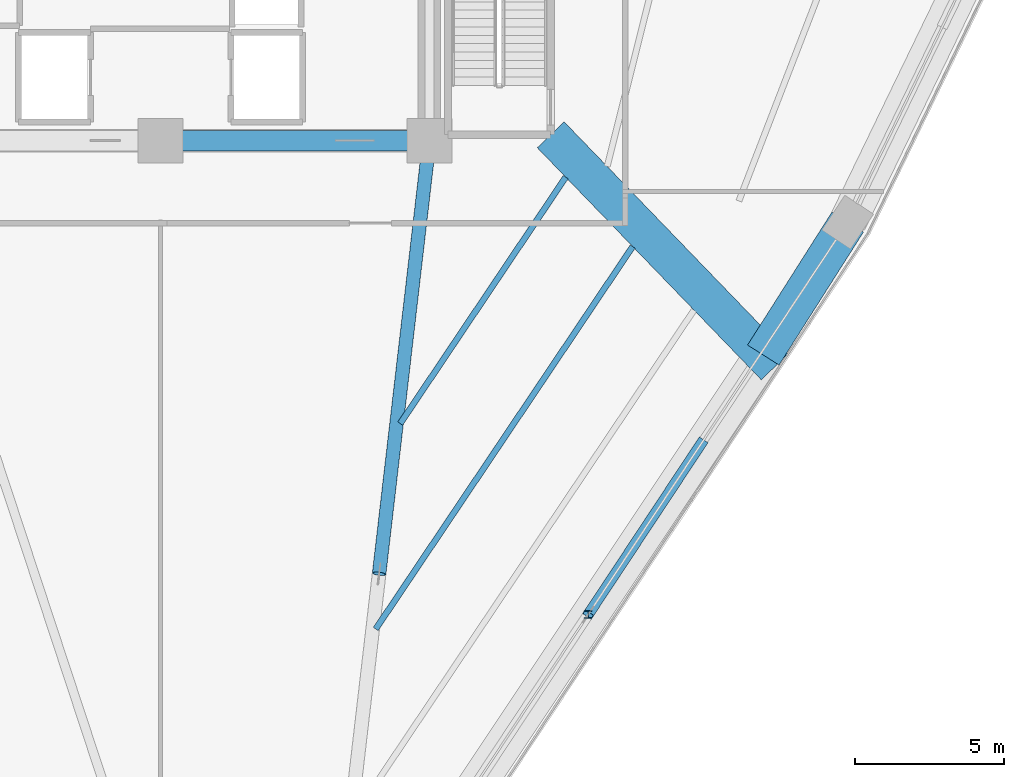
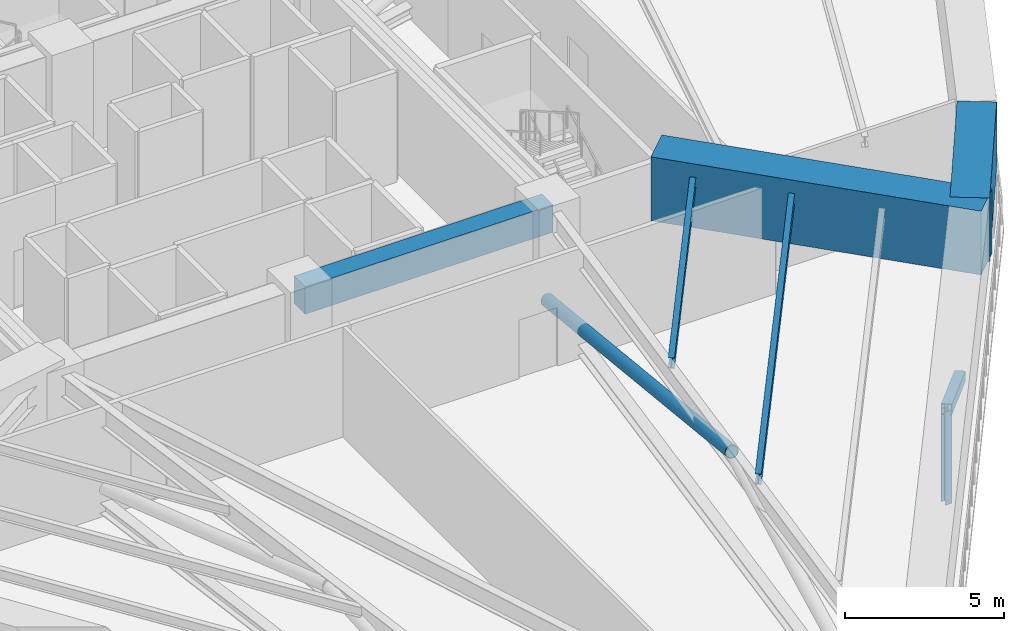
# One storey, part 4 of 27: 5 beams, 3 members.
"""IFC4 building model written with IfcOpenShell, lengths in metres."""

from ifc_helpers import new_model, si_unit, direction, frame, origin, origin_2d, place, context, subcontext, project, spatial, rectangle, hollow_rectangle, hollow_circle, i_section, extrude, source, transform, mapped, material, material_profile, profile_set, type_object, element, save


model = new_model("IFC4")

# Units and contexts
model_context = context("Model", 3, precision=1e-05, world=origin(), true_north=direction((0.0, 1.0)))
body_context = subcontext(model_context, "Body", "Model", "MODEL_VIEW")
ifc_project = project(units=[si_unit("LENGTHUNIT", "METRE"), si_unit("AREAUNIT", "SQUARE_METRE"), si_unit("VOLUMEUNIT", "CUBIC_METRE"), si_unit("PLANEANGLEUNIT", "RADIAN"), si_unit("MASSUNIT", "GRAM", prefix="KILO")], contexts=[model_context])

# Site, building, storey
site_placement = place(None, origin())
site = spatial("IfcSite", under=ifc_project, at=site_placement, CompositionType="ELEMENT")
building_placement = place(site_placement, origin())
building = spatial("IfcBuilding", under=site, at=building_placement, Name="Liaohun Quay Tower", CompositionType="ELEMENT")
storey_placement = place(building_placement, frame((0.0, 0.0, 185.25)))
storey = spatial("IfcBuildingStorey", under=building, at=storey_placement, Name="L48", CompositionType="ELEMENT", Elevation=185.25)

# Beam
ifc_material_1 = material(Name="Concrete C60", Category="concrete")
ifc_material_profile_1 = material_profile(ifc_material_1, rectangle(XDim=0.699951171875, YDim=1.050048828125, at=origin_2d()), Name="RC700x1050")
ifc_profile_set_1 = profile_set([ifc_material_profile_1], Name="Concrete C60")
beam_type_1 = type_object("IfcBeamType", Name="BM-CPL-1", PredefinedType="LINTEL", material=ifc_profile_set_1)
shared_shape_1 = source(origin(), body_context, "Body", "SweptSolid", [
    extrude(rectangle(XDim=0.699951171875, YDim=1.050048828125, at=origin_2d()), origin(), (0.0, 0.0, 1.0), 9.0),
])
beam_1_placement = place(storey_placement, frame((60.0, 46.5, 3.695068359375), z_axis=(1.0, 0.0, 0.0), x_axis=(0.0, 1.0, 0.0)))
element("IfcBeam", 1, at=beam_1_placement, inside=storey, type_object=beam_type_1, Name="L48 Core Coupling/Ring Beam CC2-CC3", PredefinedType="LINTEL", context=body_context, shape_type="MappedRepresentation", body=[
    mapped(shared_shape_1, transform((0.0, 0.0, 0.0), x_axis=(1.0, 0.0, 0.0), y_axis=(0.0, 1.0, 0.0), z_axis=(0.0, 0.0, 1.0), scale=1.0)),
])

# Member
ifc_material_2 = material(Name="Steel Q355D", Category="steel")
ifc_material_profile_2 = material_profile(ifc_material_2, i_section(OverallWidth=0.25, OverallDepth=0.25, WebThickness=0.009033203125, FlangeThickness=0.013916015625, at=origin_2d()), Name="HW250x250x9x14")
ifc_profile_set_2 = profile_set([ifc_material_profile_2], Name="Steel Q355D")
member_type_1 = type_object("IfcMemberType", Name="MEM-BLT-PST", PredefinedType="POST", material=ifc_profile_set_2)
shared_shape_2 = source(origin(), body_context, "Body", "SweptSolid", [
    extrude(i_section(OverallWidth=0.25, OverallDepth=0.25, WebThickness=0.009033203125, FlangeThickness=0.013916015625, at=origin_2d()), origin(), (0.0, 0.0, 1.0), 3.56982421875),
])
member_1_placement = place(storey_placement, frame((74.31591796875, 30.639892578125, 0.35009765625), z_axis=(0.0, 0.0, 1.0), x_axis=(1.0, 0.0, 0.0)))
element("IfcMember", 2, at=member_1_placement, inside=storey, type_object=member_type_1, Name="L48 Belt Truss Vertical Post BP-1-06", PredefinedType="POST", context=body_context, shape_type="MappedRepresentation", body=[
    mapped(shared_shape_2, transform((0.0, 0.0, 0.0), x_axis=(1.0, 0.0, 0.0), y_axis=(0.0, 1.0, 0.0), z_axis=(0.0, 0.0, 1.0), scale=1.0)),
])

# Beams
ifc_material_profile_3 = material_profile(ifc_material_1, rectangle(XDim=1.25, YDim=2.449951171875, at=origin_2d()), Name="RC1250x2450")
ifc_profile_set_3 = profile_set([ifc_material_profile_3], Name="Concrete C60")
beam_type_2 = type_object("IfcBeamType", Name="BM-TRF-1", PredefinedType="BEAM", material=ifc_profile_set_3)
shared_shape_3 = source(origin(), body_context, "Body", "SweptSolid", [
    extrude(rectangle(XDim=1.25, YDim=2.449951171875, at=origin_2d()), origin(), (0.0, 0.0, 1.0), 5.26953125),
])
beam_2_placement = place(storey_placement, frame((83.001953125, 43.77392578125, 3.5), z_axis=(-0.535903833, -0.844279030757, 0.0), x_axis=(0.844279030757, -0.535903833, 0.0)))
element("IfcBeam", 3, at=beam_2_placement, inside=storey, type_object=beam_type_2, Name="L48 Zone-Break Transfer Link PC10", PredefinedType="BEAM", context=body_context, shape_type="MappedRepresentation", body=[
    mapped(shared_shape_3, transform((0.0, 0.0, 0.0), x_axis=(1.0, 0.0, 0.0), y_axis=(0.0, 1.0, 0.0), z_axis=(0.0, 0.0, 1.0), scale=1.0)),
])
shared_shape_4 = source(origin(), body_context, "Body", "SweptSolid", [
    extrude(rectangle(XDim=1.25, YDim=2.449951171875, at=origin_2d()), origin(), (0.0, 0.0, 1.0), 10.7998046875),
])
beam_3_placement = place(storey_placement, frame((73.06005859375, 46.699951171875, 3.5), z_axis=(0.694449266165, -0.71954167129, 0.0), x_axis=(0.71954167129, 0.694449266165, 0.0)))
element("IfcBeam", 4, at=beam_3_placement, inside=storey, type_object=beam_type_2, Name="L48 Radial Transfer Girder CC4-PC10", PredefinedType="BEAM", context=body_context, shape_type="MappedRepresentation", body=[
    mapped(shared_shape_4, transform((0.0, 0.0, 0.0), x_axis=(1.0, 0.0, 0.0), y_axis=(0.0, 1.0, 0.0), z_axis=(0.0, 0.0, 1.0), scale=1.0)),
])
ifc_material_profile_4 = material_profile(ifc_material_2, i_section(OverallWidth=0.199951171875, OverallDepth=0.39990234375, WebThickness=0.008056640625, FlangeThickness=0.012939453125, at=origin_2d()), Name="HN400x200x8x13")
ifc_profile_set_4 = profile_set([ifc_material_profile_4], Name="Steel Q355D")
beam_type_3 = type_object("IfcBeamType", Name="BM-SEC-J2", PredefinedType="JOIST", material=ifc_profile_set_4)
shared_shape_5 = source(origin(), body_context, "Body", "SweptSolid", [
    extrude(i_section(OverallWidth=0.199951171875, OverallDepth=0.39990234375, WebThickness=0.008056640625, FlangeThickness=0.012939453125, at=origin_2d()), origin(), (0.0, 0.0, 1.0), 9.935791015625),
])
beam_4_placement = place(storey_placement, frame((73.56298828125, 45.279052734375, 4.02001953125), z_axis=(-0.557577412767, -0.830124947687, 0.0), x_axis=(0.830124947687, -0.557577412767, 0.0)))
element("IfcBeam", 5, at=beam_4_placement, inside=storey, type_object=beam_type_3, Name="L48 Wing Secondary Floor Joist SJ-12", PredefinedType="JOIST", context=body_context, shape_type="MappedRepresentation", body=[
    mapped(shared_shape_5, transform((0.0, 0.0, 0.0), x_axis=(1.0, 0.0, 0.0), y_axis=(0.0, 1.0, 0.0), z_axis=(0.0, 0.0, 1.0), scale=1.0)),
])
shared_shape_6 = source(origin(), body_context, "Body", "SweptSolid", [
    extrude(i_section(OverallWidth=0.199951171875, OverallDepth=0.39990234375, WebThickness=0.008056640625, FlangeThickness=0.012939453125, at=origin_2d()), origin(), (0.0, 0.0, 1.0), 15.424560546875),
])
beam_5_placement = place(storey_placement, frame((75.803955078125, 42.95703125, 4.02001953125), z_axis=(-0.557618859544, -0.83009710726, 0.0), x_axis=(0.83009710726, -0.557618859544, 0.0)))
element("IfcBeam", 6, at=beam_5_placement, inside=storey, type_object=beam_type_3, Name="L48 Wing Secondary Floor Joist SJ-13", PredefinedType="JOIST", context=body_context, shape_type="MappedRepresentation", body=[
    mapped(shared_shape_6, transform((0.0, 0.0, 0.0), x_axis=(1.0, 0.0, 0.0), y_axis=(0.0, 1.0, 0.0), z_axis=(0.0, 0.0, 1.0), scale=1.0)),
])

# Members
ifc_material_3 = material(Name="Steel Q420D", Category="steel")
ifc_material_profile_5 = material_profile(ifc_material_3, hollow_circle(Radius=0.228515625, WallThickness=0.02001953125, at=origin_2d()), Name="CHS457x20")
ifc_profile_set_5 = profile_set([ifc_material_profile_5], Name="Steel Q420D")
member_type_2 = type_object("IfcMemberType", Name="MEM-OUT-DG1", PredefinedType="BRACE", material=ifc_profile_set_5)
shared_shape_7 = source(origin(), body_context, "Body", "SweptSolid", [
    extrude(hollow_circle(Radius=0.228515625, WallThickness=0.02001953125, at=origin_2d()), origin(), (0.0, 0.0, 1.0), 15.02490234375),
])
member_2_placement = place(storey_placement, frame((69.0, 46.5, 0.35009765625), z_axis=(-0.112086766447, -0.964875643899, 0.23759534633), x_axis=(0.993320139079, -0.115391079814, 0.0)))
element("IfcMember", 7, at=member_2_placement, inside=storey, type_object=member_type_2, Name="L48 Outrigger Diagonal OD-06A", PredefinedType="BRACE", context=body_context, shape_type="MappedRepresentation", body=[
    mapped(shared_shape_7, transform((0.0, 0.0, 0.0), x_axis=(1.0, 0.0, 0.0), y_axis=(0.0, 1.0, 0.0), z_axis=(0.0, 0.0, 1.0), scale=1.0)),
])
ifc_material_profile_6 = material_profile(ifc_material_2, hollow_rectangle(XDim=0.35009765625, YDim=0.35009765625, WallThickness=0.01611328125, at=origin_2d()), Name="SHS350x350x16")
ifc_profile_set_6 = profile_set([ifc_material_profile_6], Name="Steel Q355D")
member_type_3 = type_object("IfcMemberType", Name="MEM-BLT-DG2", PredefinedType="BRACE", material=ifc_profile_set_6)
shared_shape_8 = source(origin(), body_context, "Body", "SweptSolid", [
    extrude(hollow_rectangle(XDim=0.35009765625, YDim=0.35009765625, WallThickness=0.01611328125, at=origin_2d()), origin(), (0.0, 0.0, 1.0), 7.794189453125),
])
member_3_placement = place(storey_placement, frame((78.137939453125, 36.4189453125, 0.35009765625), z_axis=(-0.490369848342, -0.741459257752, 0.458012642763), x_axis=(0.834088376606, -0.551630836711, 0.0)))
element("IfcMember", 8, at=member_3_placement, inside=storey, type_object=member_type_3, Name="L48 Belt Truss Diagonal BD-06A", PredefinedType="BRACE", context=body_context, shape_type="MappedRepresentation", body=[
    mapped(shared_shape_8, transform((0.0, 0.0, 0.0), x_axis=(1.0, 0.0, 0.0), y_axis=(0.0, 1.0, 0.0), z_axis=(0.0, 0.0, 1.0), scale=1.0)),
])

save(model, "model.ifc")
